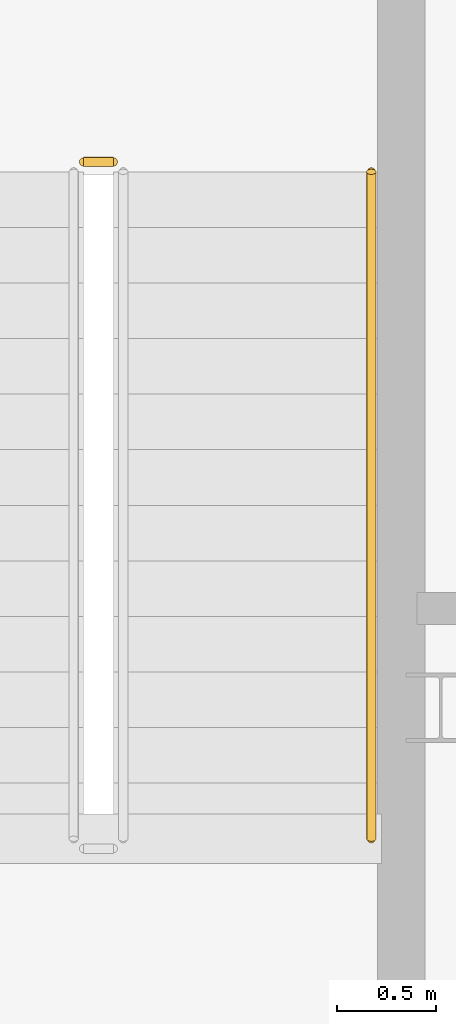
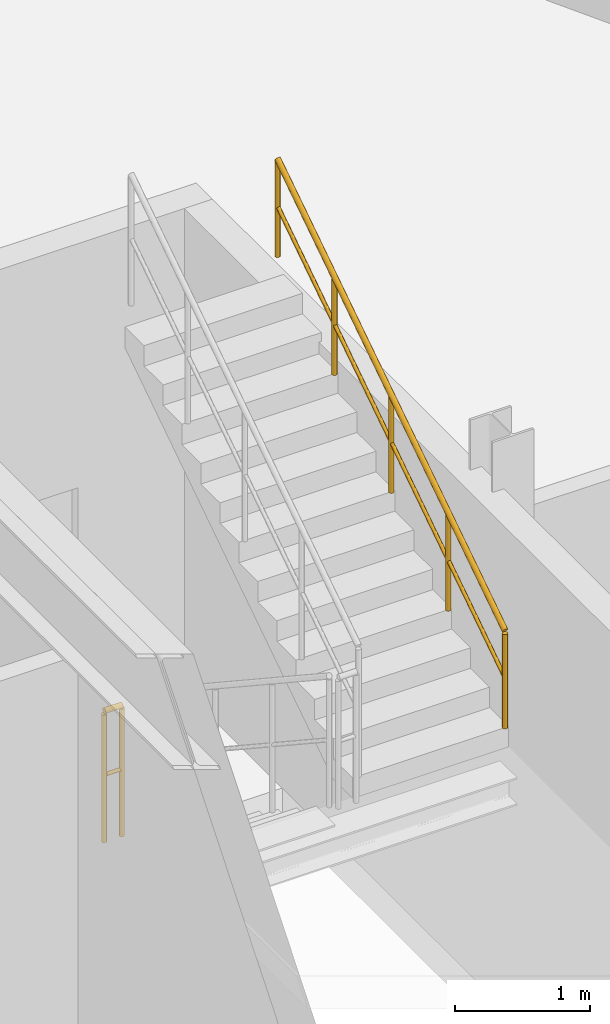
# One storey, part 18 of 19: 2 railings.
"""IFC4 building model written with IfcOpenShell, lengths in metres."""

from ifc_helpers import new_model, si_unit, direction, frame, origin, origin_2d, place, context, subcontext, project, spatial, circle, extrude, material, type_object, element, save


model = new_model("IFC4")

# Units and contexts
model_context = context("Model", 3, precision=1e-05, world=origin(), true_north=direction((0.0, 1.0)))
body_context = subcontext(model_context, "Body", "Model", "MODEL_VIEW")
ifc_project = project(units=[si_unit("LENGTHUNIT", "METRE"), si_unit("AREAUNIT", "SQUARE_METRE"), si_unit("VOLUMEUNIT", "CUBIC_METRE"), si_unit("PLANEANGLEUNIT", "RADIAN"), si_unit("MASSUNIT", "GRAM", prefix="KILO")], contexts=[model_context])

# Site, building, storey
site_placement = place(None, origin())
site = spatial("IfcSite", under=ifc_project, at=site_placement, CompositionType="ELEMENT")
building_placement = place(site_placement, origin())
building = spatial("IfcBuilding", under=site, at=building_placement, Name="Miruveldt Soraemaru", CompositionType="ELEMENT")
storey_placement = place(building_placement, frame((0.0, 0.0, 19.199951171875)))
storey = spatial("IfcBuildingStorey", under=building, at=storey_placement, Name="L05", CompositionType="ELEMENT", Elevation=19.199951171875)

# Railings
ifc_material = material(Name="Steel S355 (355 MPa)", Category="steel")
railing_type_1 = type_object("IfcRailingType", Name="RAIL-HR-900", PredefinedType="HANDRAIL", material=ifc_material)
railing_1_placement = place(storey_placement, frame((59.60009765625, 39.840087890625, 2.584716796875)))
element("IfcRailing", 1, at=railing_1_placement, inside=storey, type_object=railing_type_1, Name="L05 ST-4 stair handrail 2", PredefinedType="HANDRAIL", context=body_context, shape_type="SweptSolid", body=[
    extrude(circle(Radius=0.02392578125, at=origin_2d()), frame((0.0, 0.0, 0.8759765625), z_axis=(0.0, 0.834858096282, 0.550465220583), x_axis=(-1.0, 0.0, 0.0)), (0.0, 0.0, 1.0), 4.0244140625),
    extrude(circle(Radius=0.01611328125, at=origin_2d()), frame((0.0, 0.0, 0.449951171875), z_axis=(0.0, 0.834858096282, 0.550465220583), x_axis=(-1.0, 0.0, 0.0)), (0.0, 0.0, 1.0), 4.0244140625),
    extrude(circle(Radius=0.02099609375, at=origin_2d()), origin(), (0.0, 0.0, 1.0), 0.851806640625),
    extrude(circle(Radius=0.02099609375, at=origin_2d()), frame((0.0, 0.83984375, 0.5537109375)), (0.0, 0.0, 1.0), 0.851806640625),
    extrude(circle(Radius=0.02099609375, at=origin_2d()), frame((0.0, 1.679931640625, 1.107666015625)), (0.0, 0.0, 1.0), 0.851806640625),
    extrude(circle(Radius=0.02099609375, at=origin_2d()), frame((0.0, 2.52001953125, 1.66162109375)), (0.0, 0.0, 1.0), 0.851806640625),
    extrude(circle(Radius=0.02099609375, at=origin_2d()), frame((0.0, 3.35986328125, 2.21533203125)), (0.0, 0.0, 1.0), 0.851806640625),
])
railing_type_2 = type_object("IfcRailingType", Name="RAIL-STGUARD-1200", PredefinedType="GUARDRAIL", material=ifc_material)
railing_2_placement = place(storey_placement, frame((58.14990234375, 43.25, 0.0)))
element("IfcRailing", 2, at=railing_2_placement, inside=storey, type_object=railing_type_2, Name="L05 ST-4 stair guard 4", PredefinedType="GUARDRAIL", context=body_context, shape_type="SweptSolid", body=[
    extrude(circle(Radius=0.02392578125, at=origin_2d()), frame((0.0, 0.0, 1.17578125), z_axis=(1.0, 0.0, 0.0), x_axis=(0.0, 1.0, 0.0)), (0.0, 0.0, 1.0), 0.150146484375),
    extrude(circle(Radius=0.01611328125, at=origin_2d()), frame((0.0, 0.0, 0.60009765625), z_axis=(1.0, 0.0, 0.0), x_axis=(0.0, 1.0, 0.0)), (0.0, 0.0, 1.0), 0.150146484375),
    extrude(circle(Radius=0.02099609375, at=origin_2d()), origin(), (0.0, 0.0, 1.0), 1.15185546875),
    extrude(circle(Radius=0.02099609375, at=origin_2d()), frame((0.150146484375, 0.0, 0.0)), (0.0, 0.0, 1.0), 1.15185546875),
])

save(model, "model.ifc")
